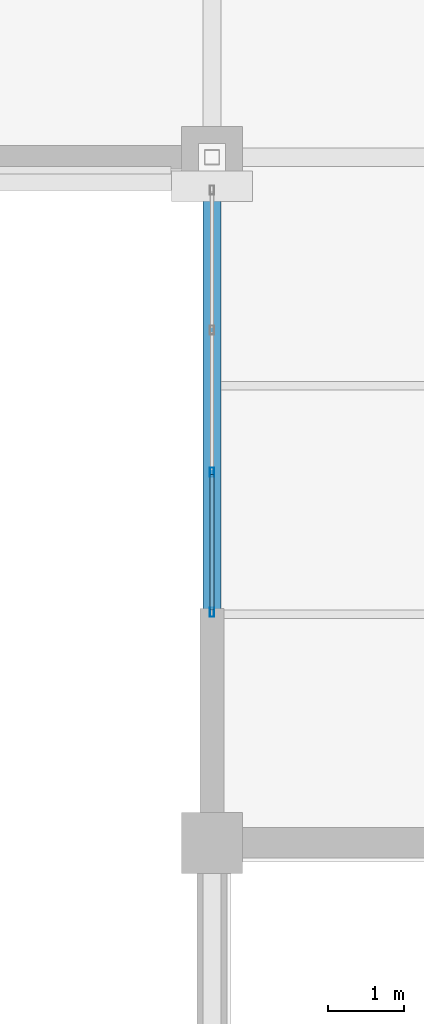
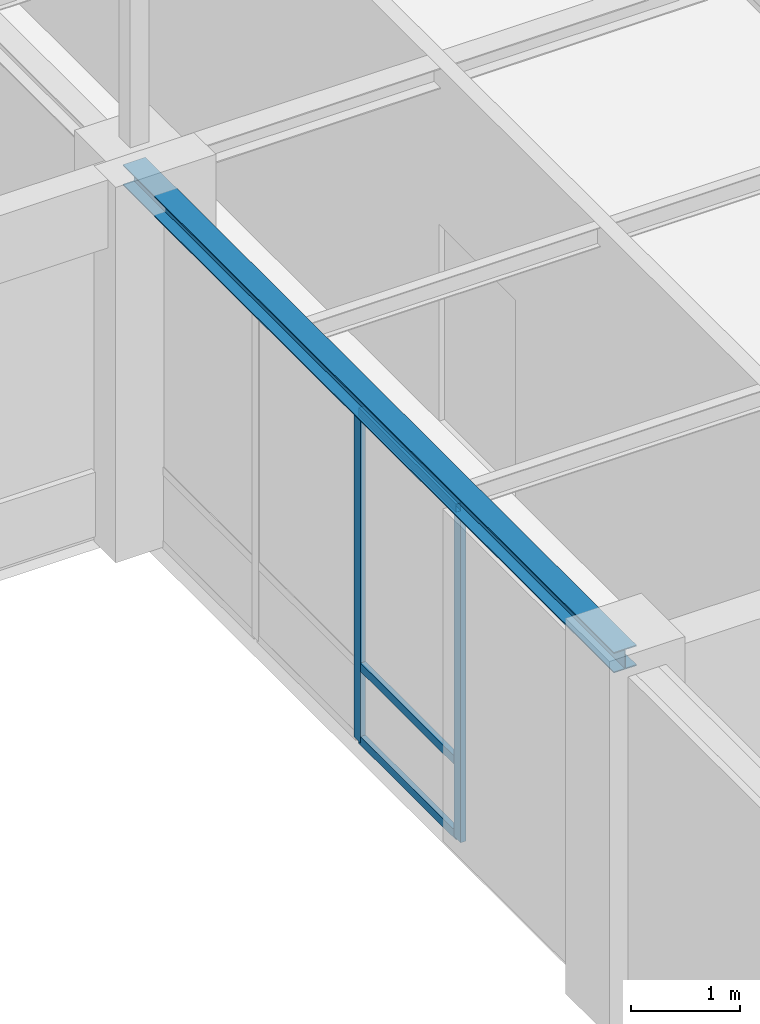
# One storey, part 4 of 36: 5 members, 1 beam, 1 element without a shape of its own.
"""IFC4 building model written with IfcOpenShell, lengths in metres."""

import ifcopenshell
import ifcopenshell.guid

model = None  # the IFC model being written
_history = None  # IfcOwnerHistory: only IFC2X3 demands one
_inside = {}  # id of a spatial element -> (the spatial element, [elements in it])
_under = {}  # id of a project, library or spatial element -> (it, [spatial elements below it])
_declared = {}  # id of a project -> (the project, [libraries it declares])
_typed = {}  # id of a type object -> (the type object, [elements of that type])
_made_of = {}  # id of a material, layer set ... -> (it, [elements and type objects made of it])


def new_model(schema):
    """Start an empty IFC model of exactly this schema.

    Asked for "IFC4X3", IfcOpenShell would pick the latest addendum, in which some entities
    have other attributes; the version numbers below select the first issue.
    IFC2X3 requires an IfcOwnerHistory on every rooted entity: one is made here for all.
    """
    global model, _history
    if schema == "IFC4X3":
        model = ifcopenshell.file(schema_version=(4, 3, 0, 0))
    else:
        model = ifcopenshell.file(schema=schema)
    _inside.clear()
    _under.clear()
    _declared.clear()
    _typed.clear()
    _made_of.clear()
    _history = None
    if model.schema == "IFC2X3":
        org = make("IfcOrganization", Name="unknown")
        user = make(
            "IfcPersonAndOrganization",
            ThePerson=make("IfcPerson", FamilyName="unknown"),
            TheOrganization=org,
        )
        app = make(
            "IfcApplication",
            ApplicationDeveloper=org,
            Version="unknown",
            ApplicationFullName="unknown",
            ApplicationIdentifier="unknown",
        )
        _history = make(
            "IfcOwnerHistory",
            OwningUser=user,
            OwningApplication=app,
            ChangeAction="ADDED",
            CreationDate=0,
        )
    return model


def make(cls, **values):
    """One entity of the class cls with the attributes given. An attribute that is None is left unset."""
    return model.create_entity(
        cls, **{name: value for name, value in values.items() if value is not None}
    )


def rooted(cls, **values):
    """An entity with a GlobalId (a new one), such as an element, a storey or a relation."""
    return make(cls, GlobalId=ifcopenshell.guid.new(), OwnerHistory=_history, **values)


def si_unit(unit_type, name, prefix=None):
    """IfcSIUnit, for example si_unit("LENGTHUNIT", "METRE", prefix="MILLI")."""
    return make("IfcSIUnit", UnitType=unit_type, Prefix=prefix, Name=name)


def assignment(units):
    """IfcUnitAssignment: the units of a project."""
    return None if units is None else make("IfcUnitAssignment", Units=units)


def point(xyz):
    """IfcCartesianPoint."""
    return None if xyz is None else make("IfcCartesianPoint", Coordinates=xyz)


def direction(xyz):
    """IfcDirection."""
    return None if xyz is None else make("IfcDirection", DirectionRatios=xyz)


def frame(location, z_axis=None, x_axis=None):
    """IfcAxis2Placement3D, a coordinate frame: its origin and axes. An axis left out is left unset."""
    return make(
        "IfcAxis2Placement3D",
        Location=point(location),
        Axis=direction(z_axis),
        RefDirection=direction(x_axis),
    )


def frame_2d(location, x_axis=None):
    """IfcAxis2Placement2D, a coordinate frame in the plane: its origin and x axis."""
    return make(
        "IfcAxis2Placement2D", Location=point(location), RefDirection=direction(x_axis)
    )


def origin():
    """The frame at (0, 0, 0) with its axes left unset."""
    return frame((0.0, 0.0, 0.0))


def origin_2d():
    """The frame at (0, 0) in the plane with its x axis left unset."""
    return frame_2d((0.0, 0.0))


def place(relative_to, where):
    """IfcLocalPlacement: puts the frame where relative to a parent placement (None: the world)."""
    return make(
        "IfcLocalPlacement", PlacementRelTo=relative_to, RelativePlacement=where
    )


def context(
    kind, dimensions, precision=None, world=None, true_north=None, identifier=None
):
    """IfcGeometricRepresentationContext, for example the 3D "Model" context."""
    return make(
        "IfcGeometricRepresentationContext",
        ContextIdentifier=identifier,
        ContextType=kind,
        CoordinateSpaceDimension=dimensions,
        Precision=precision,
        WorldCoordinateSystem=world,
        TrueNorth=true_north,
    )


def subcontext(parent, identifier, kind, view, scale=None):
    """IfcGeometricRepresentationSubContext, for example "Body" below "Model"."""
    return make(
        "IfcGeometricRepresentationSubContext",
        ContextIdentifier=identifier,
        ContextType=kind,
        ParentContext=parent,
        TargetScale=scale,
        TargetView=view,
    )


def project(units=None, contexts=None):
    """IfcProject with its units and contexts."""
    return rooted(
        "IfcProject",
        Name="project",
        RepresentationContexts=contexts,
        UnitsInContext=assignment(units),
    )


def spatial(cls, under=None, at=None, **own):
    """A site, building, storey or space (cls), placed at a placement, below another one or the project."""
    s = rooted(cls, ObjectPlacement=at, **own)
    if under is not None:
        _under.setdefault(under.id(), (under, []))[1].append(s)
    return s


def profile(cls, at=None, kind="AREA", **sizes):
    """A parametric profile (cls). Its sizes go by their IFC names, for example OverallWidth=200.0."""
    return make(cls, ProfileType=kind, Position=at, **sizes)


def hollow_rectangle(**sizes):
    """IfcRectangleHollowProfileDef."""
    return profile("IfcRectangleHollowProfileDef", **sizes)


def i_section(**sizes):
    """IfcIShapeProfileDef."""
    return profile("IfcIShapeProfileDef", **sizes)


def extrude(swept, where, along, depth):
    """IfcExtrudedAreaSolid: the profile swept, set in the frame where, extruded along a direction by depth."""
    return make(
        "IfcExtrudedAreaSolid",
        SweptArea=swept,
        Position=where,
        ExtrudedDirection=direction(along),
        Depth=depth,
    )


def shape(context_of_items, identifier, shape_type, items):
    """IfcShapeRepresentation: the items that make up one representation, for example the "Body"."""
    return make(
        "IfcShapeRepresentation",
        ContextOfItems=context_of_items,
        RepresentationIdentifier=identifier,
        RepresentationType=shape_type,
        Items=items,
    )


def material(Name=None, Category=None):
    """IfcMaterial."""
    return make("IfcMaterial", Name=Name, Category=Category)


def material_profile(
    of_material, cross_section, Name=None, Category=None, Priority=None
):
    """IfcMaterialProfile: a cross section and its material."""
    return make(
        "IfcMaterialProfile",
        Name=Name,
        Material=of_material,
        Profile=cross_section,
        Priority=Priority,
        Category=Category,
    )


def profile_set(profiles, Name=None, composite=None):
    """IfcMaterialProfileSet."""
    return make(
        "IfcMaterialProfileSet",
        Name=Name,
        MaterialProfiles=profiles,
        CompositeProfile=composite,
    )


def made_of(thing, what):
    """Note that an element or type object is made of a material, layer set ...; save() writes the relation."""
    if what is not None:
        _made_of.setdefault(what.id(), (what, []))[1].append(thing)
    return thing


def type_object(cls, material=None, **own):
    """A type object (cls), such as IfcWallType, which elements share."""
    return made_of(rooted(cls, **own), material)


def element(
    cls,
    number,
    at=None,
    inside=None,
    cuts=None,
    type_object=None,
    material=None,
    context=None,
    identifier="Body",
    shape_type=None,
    held_by="IfcProductDefinitionShape",
    body=None,
    shapes=None,
    **own,
):
    """One element of the class cls, such as IfcWall. Its Tag is "e" and its number.

    at: its placement. inside: the storey or other place that contains it. cuts: it is an
    opening in that element (IfcRelVoidsElement). A single representation is given by context,
    identifier, shape_type and body (its items); several are given by shapes. held_by: the class
    of the entity that holds the representations. save() writes the other relations.
    """
    e = rooted(cls, Tag="e%d" % number, ObjectPlacement=at, **own)
    if body is not None:
        shapes = [shape(context, identifier, shape_type, body)]
    if shapes is not None:
        e.Representation = make(held_by, Representations=shapes)
    if inside is not None:
        _inside.setdefault(inside.id(), (inside, []))[1].append(e)
    if cuts is not None:
        rooted(
            "IfcRelVoidsElement", RelatingBuildingElement=cuts, RelatedOpeningElement=e
        )
    if type_object is not None:
        _typed.setdefault(type_object.id(), (type_object, []))[1].append(e)
    return made_of(e, material)


def aggregate(whole, parts):
    """IfcRelAggregates: a whole, such as a stair, and the parts it consists of."""
    return rooted("IfcRelAggregates", RelatingObject=whole, RelatedObjects=parts)


def save(model, path):
    """Write the relations noted so far, then the file.

    IfcRelAggregates (storeys below a building ...), IfcRelContainedInSpatialStructure (elements
    in a storey), IfcRelDefinesByType, IfcRelAssociatesMaterial and IfcRelDeclares: one each for
    every whole, place, type object, material and project.
    """
    for whole, parts in _under.values():
        aggregate(whole, parts)
    for where, things in _inside.values():
        rooted(
            "IfcRelContainedInSpatialStructure",
            RelatedElements=things,
            RelatingStructure=where,
        )
    for kind, things in _typed.values():
        rooted("IfcRelDefinesByType", RelatedObjects=things, RelatingType=kind)
    for what, things in _made_of.values():
        rooted("IfcRelAssociatesMaterial", RelatedObjects=things, RelatingMaterial=what)
    for by, libraries in _declared.values():
        rooted("IfcRelDeclares", RelatingContext=by, RelatedDefinitions=libraries)
    model.write(path)


model = new_model("IFC4")

# Units and contexts
model_context = context("Model", 3, precision=1e-05, world=origin(), true_north=direction((0.0, 1.0)))
body_context = subcontext(model_context, "Body", "Model", "MODEL_VIEW")
ifc_project = project(units=[si_unit("LENGTHUNIT", "METRE"), si_unit("AREAUNIT", "SQUARE_METRE"), si_unit("VOLUMEUNIT", "CUBIC_METRE"), si_unit("PLANEANGLEUNIT", "RADIAN"), si_unit("MASSUNIT", "GRAM", prefix="KILO")], contexts=[model_context])

# Site, building, storey
site_placement = place(None, origin())
site = spatial("IfcSite", under=ifc_project, at=site_placement, CompositionType="ELEMENT")
building_placement = place(site_placement, origin())
building = spatial("IfcBuilding", under=site, at=building_placement, Name="Lykobir Media Centre", CompositionType="ELEMENT")
storey_placement = place(building_placement, frame((0.0, 0.0, 27.60009765625)))
storey = spatial("IfcBuildingStorey", under=building, at=storey_placement, Name="L06", CompositionType="ELEMENT", Elevation=27.60009765625)

# Curtain wall, members
ifc_material_1 = material(Name="Anodized Aluminium AW-6060", Category="aluminium")
curtain_wall_type = type_object("IfcCurtainWallType", Name="CW-COURT-B", PredefinedType="NOTDEFINED", material=ifc_material_1)
curtain_wall_placement = place(storey_placement, origin())
curtain_wall = element("IfcCurtainWall", 1, at=curtain_wall_placement, inside=storey, type_object=curtain_wall_type, Name="Curtain wall CW2-L06-0215", PredefinedType="NOTDEFINED")
ifc_material_profile_1 = material_profile(ifc_material_1, hollow_rectangle(XDim=0.054931640625, YDim=0.1201171875, WallThickness=0.003173828125, at=origin_2d()), Name="ALU MULLION 55x120")
ifc_profile_set_1 = profile_set([ifc_material_profile_1], Name="Anodized Aluminium AW-6060")
member_type_1 = type_object("IfcMemberType", Name="CWM-120", PredefinedType="MULLION", material=ifc_profile_set_1)
member_1_placement = place(storey_placement, frame((27.0, 21.027587890625, 0.0), z_axis=(0.0, 0.0, 1.0), x_axis=(-1.0, 0.0, 0.0)))
member_1 = element("IfcMember", 2, at=member_1_placement, type_object=member_type_1, Name="CW2-L06-0215 mullion 1", PredefinedType="MULLION", context=body_context, shape_type="SweptSolid", body=[
    extrude(hollow_rectangle(XDim=0.054931640625, YDim=0.1201171875, WallThickness=0.003173828125, at=origin_2d()), origin(), (0.0, 0.0, 1.0), 3.71484375),
])
member_2_placement = place(storey_placement, frame((27.0, 22.864990234375, 0.0), z_axis=(0.0, 0.0, 1.0), x_axis=(-1.0, 0.0, 0.0)))
member_2 = element("IfcMember", 3, at=member_2_placement, type_object=member_type_1, Name="CW2-L06-0215 mullion 2", PredefinedType="MULLION", context=body_context, shape_type="SweptSolid", body=[
    extrude(hollow_rectangle(XDim=0.054931640625, YDim=0.1201171875, WallThickness=0.003173828125, at=origin_2d()), origin(), (0.0, 0.0, 1.0), 3.71484375),
])
ifc_material_profile_2 = material_profile(ifc_material_1, hollow_rectangle(XDim=0.054931640625, YDim=0.094970703125, WallThickness=0.0029296875, at=origin_2d()), Name="ALU TRANSOM 55x95")
ifc_profile_set_2 = profile_set([ifc_material_profile_2], Name="Anodized Aluminium AW-6060")
member_type_2 = type_object("IfcMemberType", Name="CWT-095", PredefinedType="USERDEFINED", material=ifc_profile_set_2)
member_3_placement = place(storey_placement, frame((27.0, 21.054931640625, 0.02734375), z_axis=(0.0, 1.0, 0.0), x_axis=(-1.0, 0.0, 0.0)))
member_3 = element("IfcMember", 4, at=member_3_placement, type_object=member_type_2, Name="CW2-L06-0215 transom 1.1", ObjectType="TRANSOM", PredefinedType="USERDEFINED", context=body_context, shape_type="SweptSolid", body=[
    extrude(hollow_rectangle(XDim=0.054931640625, YDim=0.094970703125, WallThickness=0.0029296875, at=origin_2d()), origin(), (0.0, 0.0, 1.0), 1.782470703125),
])
member_4_placement = place(storey_placement, frame((27.0, 21.054931640625, 0.849853515625), z_axis=(0.0, 1.0, 0.0), x_axis=(-1.0, 0.0, 0.0)))
member_4 = element("IfcMember", 5, at=member_4_placement, type_object=member_type_2, Name="CW2-L06-0215 transom 1.2", ObjectType="TRANSOM", PredefinedType="USERDEFINED", context=body_context, shape_type="SweptSolid", body=[
    extrude(hollow_rectangle(XDim=0.054931640625, YDim=0.094970703125, WallThickness=0.0029296875, at=origin_2d()), origin(), (0.0, 0.0, 1.0), 1.782470703125),
])
member_5_placement = place(storey_placement, frame((27.0, 21.054931640625, 3.6875), z_axis=(0.0, 1.0, 0.0), x_axis=(-1.0, 0.0, 0.0)))
member_5 = element("IfcMember", 6, at=member_5_placement, type_object=member_type_2, Name="CW2-L06-0215 transom 1.3", ObjectType="TRANSOM", PredefinedType="USERDEFINED", context=body_context, shape_type="SweptSolid", body=[
    extrude(hollow_rectangle(XDim=0.054931640625, YDim=0.094970703125, WallThickness=0.0029296875, at=origin_2d()), origin(), (0.0, 0.0, 1.0), 1.782470703125),
])
aggregate(curtain_wall, [member_1, member_2, member_3, member_4, member_5])

# Beam
ifc_material_2 = material(Name="Steel S355", Category="steel")
ifc_material_profile_3 = material_profile(ifc_material_2, i_section(OverallWidth=0.239990234375, OverallDepth=0.22998046875, WebThickness=0.007568359375, FlangeThickness=0.011962890625, at=origin_2d()), Name="HEA 240")
ifc_profile_set_3 = profile_set([ifc_material_profile_3], Name="Steel S355")
beam_type = type_object("IfcBeamType", Name="SP-HEA240", PredefinedType="SPANDREL", material=ifc_profile_set_3)
beam_placement = place(storey_placement, frame((27.0, 18.0, 3.844970703125), z_axis=(0.0, 1.0, 0.0), x_axis=(-1.0, 0.0, 0.0)))
element("IfcBeam", 7, at=beam_placement, inside=storey, type_object=beam_type, Name="Beam BM-L06-0270-0180-0270-0270-3144", PredefinedType="SPANDREL", context=body_context, shape_type="SweptSolid", body=[
    extrude(i_section(OverallWidth=0.239990234375, OverallDepth=0.22998046875, WebThickness=0.007568359375, FlangeThickness=0.011962890625, at=origin_2d()), origin(), (0.0, 0.0, 1.0), 9.0),
])

save(model, "model.ifc")
